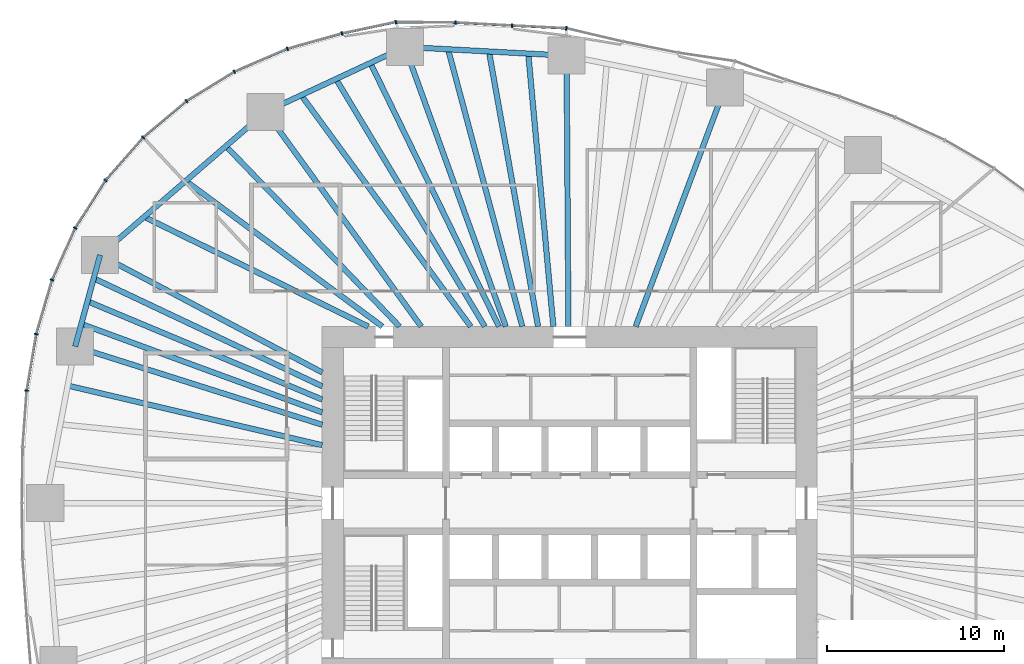
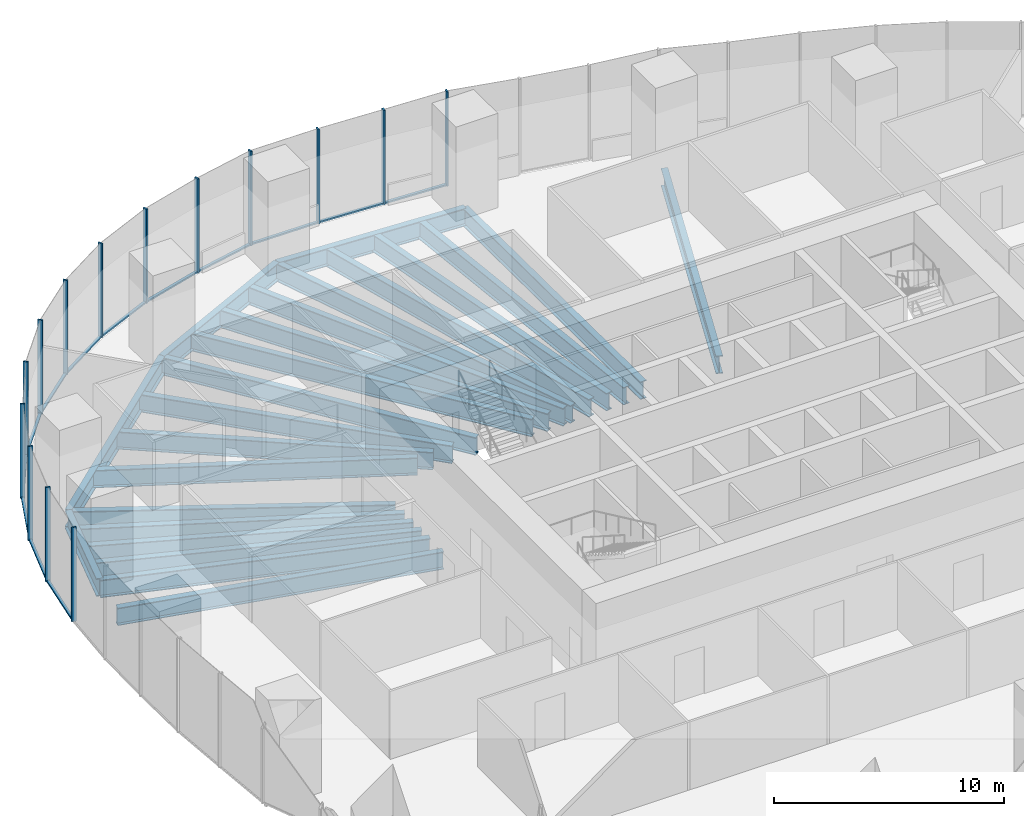
# One storey, part 5 of 20: 27 members, 23 beams, 5 elements without a shape of their own.
"""IFC4 building model written with IfcOpenShell, lengths in metres."""

from ifc_helpers import new_model, si_unit, direction, frame, origin, origin_2d, place, context, subcontext, project, spatial, rectangle, i_section, extrude, material, material_profile, profile_set, type_object, element, aggregate, save


model = new_model("IFC4")

# Units and contexts
model_context = context("Model", 3, precision=1e-05, world=origin(), true_north=direction((0.0, 1.0)))
body_context = subcontext(model_context, "Body", "Model", "MODEL_VIEW")
ifc_project = project(units=[si_unit("LENGTHUNIT", "METRE"), si_unit("AREAUNIT", "SQUARE_METRE"), si_unit("VOLUMEUNIT", "CUBIC_METRE"), si_unit("PLANEANGLEUNIT", "RADIAN"), si_unit("MASSUNIT", "GRAM", prefix="KILO")], contexts=[model_context])

# Site, building, storey
site_placement = place(None, origin())
site = spatial("IfcSite", under=ifc_project, at=site_placement, CompositionType="ELEMENT")
building_placement = place(site_placement, origin())
building = spatial("IfcBuilding", under=site, at=building_placement, Name="Ghaith Harvest Tower", CompositionType="ELEMENT")
storey_placement = place(building_placement, frame((0.0, 0.0, 45.0)))
storey = spatial("IfcBuildingStorey", under=building, at=storey_placement, Name="L09", CompositionType="ELEMENT", Elevation=45.0)

# Curtain wall, members
ifc_material_1 = material(Name="Black anodised aluminium and fritted glass", Category="aluminium")
curtain_wall_type = type_object("IfcCurtainWallType", Name="CW-F CURTAIN WALL", PredefinedType="NOTDEFINED", material=ifc_material_1)
curtain_wall_1_placement = place(storey_placement, origin())
curtain_wall_1 = element("IfcCurtainWall", 1, at=curtain_wall_1_placement, inside=storey, type_object=curtain_wall_type, Name="Curtain wall CW-F bay 06 L09", PredefinedType="NOTDEFINED")
ifc_material_2 = material(Name="Aluminium, black anodised", Category="aluminium")
ifc_material_profile_1 = material_profile(ifc_material_2, rectangle(XDim=0.080078125, YDim=0.219970703125, at=origin_2d()), Name="CW-F MULLION 80x220")
ifc_profile_set_1 = profile_set([ifc_material_profile_1], Name="Aluminium, black anodised")
member_type_1 = type_object("IfcMemberType", Name="CW-F MULLION 80x220", PredefinedType="MULLION", material=ifc_profile_set_1)
member_1_placement = place(storey_placement, frame((-0.183837890625, 26.877197265625, 0.0), z_axis=(0.0, 0.0, 1.0), x_axis=(-0.98971187143, 0.143074845976, 0.0)))
member_1 = element("IfcMember", 2, at=member_1_placement, type_object=member_type_1, Name="CW-F mullion 1 bay 06 L09", PredefinedType="MULLION", context=body_context, shape_type="SweptSolid", body=[
    extrude(rectangle(XDim=0.080078125, YDim=0.219970703125, at=origin_2d()), origin(), (0.0, 0.0, 1.0), 5.0),
])
member_2_placement = place(storey_placement, frame((-3.261962890625, 27.02978515625, 0.0), z_axis=(0.0, 0.0, 1.0), x_axis=(-0.998666923291, 0.051617597049, 0.0)))
member_2 = element("IfcMember", 3, at=member_2_placement, type_object=member_type_1, Name="CW-F mullion 2 bay 06 L09", PredefinedType="MULLION", context=body_context, shape_type="SweptSolid", body=[
    extrude(rectangle(XDim=0.080078125, YDim=0.219970703125, at=origin_2d()), origin(), (0.0, 0.0, 1.0), 5.0),
])
member_3_placement = place(storey_placement, frame((-6.465087890625, 27.20166015625, 0.0), z_axis=(0.0, 0.0, 1.0), x_axis=(-0.999527102163, 0.030750155138, 0.0)))
member_3 = element("IfcMember", 4, at=member_3_placement, type_object=member_type_1, Name="CW-F mullion 3 bay 06 L09", PredefinedType="MULLION", context=body_context, shape_type="SweptSolid", body=[
    extrude(rectangle(XDim=0.080078125, YDim=0.219970703125, at=origin_2d()), origin(), (0.0, 0.0, 1.0), 5.0),
])

curtain_wall_2_placement = place(storey_placement, origin())
curtain_wall_2 = element("IfcCurtainWall", 5, at=curtain_wall_2_placement, inside=storey, type_object=curtain_wall_type, Name="Curtain wall CW-F bay 07 L09", PredefinedType="NOTDEFINED")
member_4_placement = place(storey_placement, frame((-9.835693359375, 27.232177734375, 0.0), z_axis=(0.0, 0.0, 1.0), x_axis=(-0.995408459337, -0.095718332001, 0.0)))
member_4 = element("IfcMember", 6, at=member_4_placement, type_object=member_type_1, Name="CW-F mullion 1 bay 07 L09", PredefinedType="MULLION", context=body_context, shape_type="SweptSolid", body=[
    extrude(rectangle(XDim=0.080078125, YDim=0.219970703125, at=origin_2d()), origin(), (0.0, 0.0, 1.0), 5.0),
])
member_5_placement = place(storey_placement, frame((-12.880615234375, 26.5849609375, 0.0), z_axis=(0.0, 0.0, 1.0), x_axis=(-0.970824511782, -0.239791091, 0.0)))
member_5 = element("IfcMember", 7, at=member_5_placement, type_object=member_type_1, Name="CW-F mullion 2 bay 07 L09", PredefinedType="MULLION", context=body_context, shape_type="SweptSolid", body=[
    extrude(rectangle(XDim=0.080078125, YDim=0.219970703125, at=origin_2d()), origin(), (0.0, 0.0, 1.0), 5.0),
])
member_6_placement = place(storey_placement, frame((-15.97119140625, 25.716552734375, 0.0), z_axis=(0.0, 0.0, 1.0), x_axis=(-0.942293550527, -0.334787790451, 0.0)))
member_6 = element("IfcMember", 8, at=member_6_placement, type_object=member_type_1, Name="CW-F mullion 3 bay 07 L09", PredefinedType="MULLION", context=body_context, shape_type="SweptSolid", body=[
    extrude(rectangle(XDim=0.080078125, YDim=0.219970703125, at=origin_2d()), origin(), (0.0, 0.0, 1.0), 5.0),
])

curtain_wall_3_placement = place(storey_placement, origin())
curtain_wall_3 = element("IfcCurtainWall", 9, at=curtain_wall_3_placement, inside=storey, type_object=curtain_wall_type, Name="Curtain wall CW-F bay 08 L09", PredefinedType="NOTDEFINED")
member_7_placement = place(storey_placement, frame((-18.96728515625, 24.42236328125, 0.0), z_axis=(0.0, 0.0, 1.0), x_axis=(-0.887912253252, -0.460012859086, 0.0)))
member_7 = element("IfcMember", 10, at=member_7_placement, type_object=member_type_1, Name="CW-F mullion 1 bay 08 L09", PredefinedType="MULLION", context=body_context, shape_type="SweptSolid", body=[
    extrude(rectangle(XDim=0.080078125, YDim=0.219970703125, at=origin_2d()), origin(), (0.0, 0.0, 1.0), 5.0),
])
member_8_placement = place(storey_placement, frame((-21.681640625, 22.758056640625, 0.0), z_axis=(0.0, 0.0, 1.0), x_axis=(-0.811400750439, -0.584490224202, 0.0)))
member_8 = element("IfcMember", 11, at=member_8_placement, type_object=member_type_1, Name="CW-F mullion 2 bay 08 L09", PredefinedType="MULLION", context=body_context, shape_type="SweptSolid", body=[
    extrude(rectangle(XDim=0.080078125, YDim=0.219970703125, at=origin_2d()), origin(), (0.0, 0.0, 1.0), 5.0),
])
member_9_placement = place(storey_placement, frame((-24.139404296875, 20.696533203125, 0.0), z_axis=(0.0, 0.0, 1.0), x_axis=(-0.714663248213, -0.699468685256, 0.0)))
member_9 = element("IfcMember", 12, at=member_9_placement, type_object=member_type_1, Name="CW-F mullion 3 bay 08 L09", PredefinedType="MULLION", context=body_context, shape_type="SweptSolid", body=[
    extrude(rectangle(XDim=0.080078125, YDim=0.219970703125, at=origin_2d()), origin(), (0.0, 0.0, 1.0), 5.0),
])

curtain_wall_4_placement = place(storey_placement, origin())
curtain_wall_4 = element("IfcCurtainWall", 13, at=curtain_wall_4_placement, inside=storey, type_object=curtain_wall_type, Name="Curtain wall CW-F bay 09 L09", PredefinedType="NOTDEFINED")
member_10_placement = place(storey_placement, frame((-26.26318359375, 18.274169921875, 0.0), z_axis=(0.0, 0.0, 1.0), x_axis=(-0.599861600644, -0.800103780814, 0.0)))
member_10 = element("IfcMember", 14, at=member_10_placement, type_object=member_type_1, Name="CW-F mullion 1 bay 09 L09", PredefinedType="MULLION", context=body_context, shape_type="SweptSolid", body=[
    extrude(rectangle(XDim=0.080078125, YDim=0.219970703125, at=origin_2d()), origin(), (0.0, 0.0, 1.0), 5.0),
])
member_11_placement = place(storey_placement, frame((-27.986328125, 15.5654296875, 0.0), z_axis=(0.0, 0.0, 1.0), x_axis=(-0.473265082758, -0.880920065297, 0.0)))
member_11 = element("IfcMember", 15, at=member_11_placement, type_object=member_type_1, Name="CW-F mullion 2 bay 09 L09", PredefinedType="MULLION", context=body_context, shape_type="SweptSolid", body=[
    extrude(rectangle(XDim=0.080078125, YDim=0.219970703125, at=origin_2d()), origin(), (0.0, 0.0, 1.0), 5.0),
])
member_12_placement = place(storey_placement, frame((-29.29248046875, 12.63525390625, 0.0), z_axis=(0.0, 0.0, 1.0), x_axis=(-0.344618322502, -0.938742889079, 0.0)))
member_12 = element("IfcMember", 16, at=member_12_placement, type_object=member_type_1, Name="CW-F mullion 3 bay 09 L09", PredefinedType="MULLION", context=body_context, shape_type="SweptSolid", body=[
    extrude(rectangle(XDim=0.080078125, YDim=0.219970703125, at=origin_2d()), origin(), (0.0, 0.0, 1.0), 5.0),
])

curtain_wall_5_placement = place(storey_placement, origin())
curtain_wall_5 = element("IfcCurtainWall", 17, at=curtain_wall_5_placement, inside=storey, type_object=curtain_wall_type, Name="Curtain wall CW-F bay 10 L09", PredefinedType="NOTDEFINED")
member_13_placement = place(storey_placement, frame((-30.1884765625, 9.567138671875, 0.0), z_axis=(0.0, 0.0, 1.0), x_axis=(-0.222967363645, -0.97482590997, 0.0)))
member_13 = element("IfcMember", 18, at=member_13_placement, type_object=member_type_1, Name="CW-F mullion 1 bay 10 L09", PredefinedType="MULLION", context=body_context, shape_type="SweptSolid", body=[
    extrude(rectangle(XDim=0.080078125, YDim=0.219970703125, at=origin_2d()), origin(), (0.0, 0.0, 1.0), 5.0),
])
member_14_placement = place(storey_placement, frame((-30.724365234375, 6.37548828125, 0.0), z_axis=(0.0, 0.0, 1.0), x_axis=(-0.119352816132, -0.99285190501, 0.0)))
member_14 = element("IfcMember", 19, at=member_14_placement, type_object=member_type_1, Name="CW-F mullion 2 bay 10 L09", PredefinedType="MULLION", context=body_context, shape_type="SweptSolid", body=[
    extrude(rectangle(XDim=0.080078125, YDim=0.219970703125, at=origin_2d()), origin(), (0.0, 0.0, 1.0), 5.0),
])

# Member
ifc_material_3 = material(Name="Aluminium, black anodised", Category="aluminium")
ifc_material_profile_2 = material_profile(ifc_material_3, rectangle(XDim=0.139892578125, YDim=0.080078125, at=origin_2d()), Name="CW-F TRANSOM 140x80")
ifc_profile_set_2 = profile_set([ifc_material_profile_2], Name="Aluminium, black anodised")
member_type_2 = type_object("IfcMemberType", Name="CW-F TRANSOM 140x80", PredefinedType="USERDEFINED", material=ifc_profile_set_2)
member_15_placement = place(storey_placement, frame((-0.223876953125, 26.879150390625, 0.0400390625), z_axis=(-0.998772539109, 0.049531960612, 0.0), x_axis=(-0.049531960612, -0.998772539109, 0.0)))
member_15 = element("IfcMember", 20, at=member_15_placement, type_object=member_type_2, Name="CW-F transom 1 bay 06 L09", ObjectType="TRANSOM", PredefinedType="USERDEFINED", context=body_context, shape_type="SweptSolid", body=[
    extrude(rectangle(XDim=0.139892578125, YDim=0.080078125, at=origin_2d()), origin(), (0.0, 0.0, 1.0), 3.001708984375),
])

member_16_placement = place(storey_placement, frame((-3.3017578125, 27.031982421875, 0.0400390625), z_axis=(-0.99856142387, 0.053619798202, 0.0), x_axis=(-0.053619798202, -0.99856142387, 0.0)))
member_16 = element("IfcMember", 21, at=member_16_placement, type_object=member_type_2, Name="CW-F transom 2 bay 06 L09", ObjectType="TRANSOM", PredefinedType="USERDEFINED", context=body_context, shape_type="SweptSolid", body=[
    extrude(rectangle(XDim=0.139892578125, YDim=0.080078125, at=origin_2d()), origin(), (0.0, 0.0, 1.0), 3.1279296875),
])

member_17_placement = place(storey_placement, frame((-6.505126953125, 27.2021484375, 0.0400390625), z_axis=(-0.999959703847, 0.008977231352, 0.0), x_axis=(-0.008977231352, -0.999959703847, 0.0)))
member_17 = element("IfcMember", 22, at=member_17_placement, type_object=member_type_2, Name="CW-F transom 3 bay 06 L09", ObjectType="TRANSOM", PredefinedType="USERDEFINED", context=body_context, shape_type="SweptSolid", body=[
    extrude(rectangle(XDim=0.139892578125, YDim=0.080078125, at=origin_2d()), origin(), (0.0, 0.0, 1.0), 3.290771484375),
])

aggregate(curtain_wall_1, [member_1, member_15, member_2, member_16, member_3, member_17])

member_18_placement = place(storey_placement, frame((-9.874755859375, 27.2236328125, 0.0400390625), z_axis=(-0.978160283029, -0.207852016359, 0.0), x_axis=(0.207852016359, -0.978160283029, 0.0)))
member_18 = element("IfcMember", 23, at=member_18_placement, type_object=member_type_2, Name="CW-F transom 1 bay 07 L09", ObjectType="TRANSOM", PredefinedType="USERDEFINED", context=body_context, shape_type="SweptSolid", body=[
    extrude(rectangle(XDim=0.139892578125, YDim=0.080078125, at=origin_2d()), origin(), (0.0, 0.0, 1.0), 3.03271484375),
])

member_19_placement = place(storey_placement, frame((-12.9189453125, 26.573974609375, 0.0400390625), z_axis=(-0.962727128991, -0.270474536888, 0.0), x_axis=(0.270474536888, -0.962727128991, 0.0)))
member_19 = element("IfcMember", 24, at=member_19_placement, type_object=member_type_2, Name="CW-F transom 2 bay 07 L09", ObjectType="TRANSOM", PredefinedType="USERDEFINED", context=body_context, shape_type="SweptSolid", body=[
    extrude(rectangle(XDim=0.139892578125, YDim=0.080078125, at=origin_2d()), origin(), (0.0, 0.0, 1.0), 3.13037109375),
])

member_20_placement = place(storey_placement, frame((-16.008056640625, 25.70068359375, 0.0400390625), z_axis=(-0.9180027124, -0.396574104079, 0.0), x_axis=(0.396574104079, -0.9180027124, 0.0)))
member_20 = element("IfcMember", 25, at=member_20_placement, type_object=member_type_2, Name="CW-F transom 3 bay 07 L09", ObjectType="TRANSOM", PredefinedType="USERDEFINED", context=body_context, shape_type="SweptSolid", body=[
    extrude(rectangle(XDim=0.139892578125, YDim=0.080078125, at=origin_2d()), origin(), (0.0, 0.0, 1.0), 3.183349609375),
])

aggregate(curtain_wall_2, [member_4, member_18, member_5, member_19, member_6, member_20])

member_21_placement = place(storey_placement, frame((-19.001220703125, 24.4013671875, 0.0400390625), z_axis=(-0.852561687195, -0.522626606219, 0.0), x_axis=(0.522626606219, -0.852561687195, 0.0)))
member_21 = element("IfcMember", 26, at=member_21_placement, type_object=member_type_2, Name="CW-F transom 1 bay 08 L09", ObjectType="TRANSOM", PredefinedType="USERDEFINED", context=body_context, shape_type="SweptSolid", body=[
    extrude(rectangle(XDim=0.139892578125, YDim=0.080078125, at=origin_2d()), origin(), (0.0, 0.0, 1.0), 3.104248046875),
])

member_22_placement = place(storey_placement, frame((-21.71240234375, 22.732421875, 0.0400390625), z_axis=(-0.766144434184, -0.642668426149, 0.0), x_axis=(0.642668426149, -0.766144434184, 0.0)))
member_22 = element("IfcMember", 27, at=member_22_placement, type_object=member_type_2, Name="CW-F transom 2 bay 08 L09", ObjectType="TRANSOM", PredefinedType="USERDEFINED", context=body_context, shape_type="SweptSolid", body=[
    extrude(rectangle(XDim=0.139892578125, YDim=0.080078125, at=origin_2d()), origin(), (0.0, 0.0, 1.0), 3.1279296875),
])

member_23_placement = place(storey_placement, frame((-24.165771484375, 20.66650390625, 0.0400390625), z_axis=(-0.65923052982, -0.751940894322, 0.0), x_axis=(0.751940894322, -0.65923052982, 0.0)))
member_23 = element("IfcMember", 28, at=member_23_placement, type_object=member_type_2, Name="CW-F transom 3 bay 08 L09", ObjectType="TRANSOM", PredefinedType="USERDEFINED", context=body_context, shape_type="SweptSolid", body=[
    extrude(rectangle(XDim=0.139892578125, YDim=0.080078125, at=origin_2d()), origin(), (0.0, 0.0, 1.0), 3.1416015625),
])

aggregate(curtain_wall_3, [member_7, member_21, member_8, member_22, member_9, member_23])

member_24_placement = place(storey_placement, frame((-26.28466796875, 18.240234375, 0.0400390625), z_axis=(-0.536754366643, -0.843738555412, 0.0), x_axis=(0.843738555412, -0.536754366643, 0.0)))
member_24 = element("IfcMember", 29, at=member_24_placement, type_object=member_type_2, Name="CW-F transom 1 bay 09 L09", ObjectType="TRANSOM", PredefinedType="USERDEFINED", context=body_context, shape_type="SweptSolid", body=[
    extrude(rectangle(XDim=0.139892578125, YDim=0.080078125, at=origin_2d()), origin(), (0.0, 0.0, 1.0), 3.13037109375),
])

member_25_placement = place(storey_placement, frame((-28.002685546875, 15.52880859375, 0.0400390625), z_axis=(-0.407123143204, -0.913373278714, 0.0), x_axis=(0.913373278714, -0.407123143204, 0.0)))
member_25 = element("IfcMember", 30, at=member_25_placement, type_object=member_type_2, Name="CW-F transom 2 bay 09 L09", ObjectType="TRANSOM", PredefinedType="USERDEFINED", context=body_context, shape_type="SweptSolid", body=[
    extrude(rectangle(XDim=0.139892578125, YDim=0.080078125, at=origin_2d()), origin(), (0.0, 0.0, 1.0), 3.1279296875),
])

member_26_placement = place(storey_placement, frame((-29.3037109375, 12.596923828125, 0.0400390625), z_axis=(-0.280324903873, -0.959905176707, 0.0), x_axis=(0.959905176707, -0.280324903873, 0.0)))
member_26 = element("IfcMember", 31, at=member_26_placement, type_object=member_type_2, Name="CW-F transom 3 bay 09 L09", ObjectType="TRANSOM", PredefinedType="USERDEFINED", context=body_context, shape_type="SweptSolid", body=[
    extrude(rectangle(XDim=0.139892578125, YDim=0.080078125, at=origin_2d()), origin(), (0.0, 0.0, 1.0), 3.1162109375),
])

aggregate(curtain_wall_4, [member_10, member_24, member_11, member_25, member_12, member_26])

member_27_placement = place(storey_placement, frame((-30.195068359375, 9.52783203125, 0.0400390625), z_axis=(-0.165527763099, -0.986205130611, 0.0), x_axis=(0.986205130611, -0.165527763099, 0.0)))
member_27 = element("IfcMember", 32, at=member_27_placement, type_object=member_type_2, Name="CW-F transom 1 bay 10 L09", ObjectType="TRANSOM", PredefinedType="USERDEFINED", context=body_context, shape_type="SweptSolid", body=[
    extrude(rectangle(XDim=0.139892578125, YDim=0.080078125, at=origin_2d()), origin(), (0.0, 0.0, 1.0), 3.15625),
])

aggregate(curtain_wall_5, [member_13, member_27, member_14])

# Beams
ifc_material_4 = material(Name="Steel ASTM A992 Grade 50", Category="steel")
ifc_material_profile_3 = material_profile(ifc_material_4, i_section(OverallWidth=0.306884765625, OverallDepth=0.94189453125, WebThickness=0.022216796875, FlangeThickness=0.039794921875, at=origin_2d()), Name="W920X345")
ifc_profile_set_3 = profile_set([ifc_material_profile_3], Name="Steel ASTM A992 Grade 50")
beam_type_1 = type_object("IfcBeamType", Name="E920-345 W920X345", PredefinedType="SPANDREL", material=ifc_profile_set_3)
beam_1_placement = place(storey_placement, frame((-0.173095703125, 25.326904296875, -0.6708984375), z_axis=(-0.998545840532, 0.053909223293, 0.0), x_axis=(-0.053909223293, -0.998545840532, 0.0)))
element("IfcBeam", 33, at=beam_1_placement, inside=storey, type_object=beam_type_1, Name="Edge beam E06 L09", PredefinedType="SPANDREL", context=body_context, shape_type="SweptSolid", body=[
    extrude(i_section(OverallWidth=0.306884765625, OverallDepth=0.94189453125, WebThickness=0.022216796875, FlangeThickness=0.039794921875, at=origin_2d()), origin(), (0.0, 0.0, 1.0), 9.166259765625),
])
beam_2_placement = place(storey_placement, frame((-9.325927734375, 25.821044921875, -0.6708984375), z_axis=(-0.906373259523, -0.422477827137, 0.0), x_axis=(0.422477827137, -0.906373259523, 0.0)))
element("IfcBeam", 34, at=beam_2_placement, inside=storey, type_object=beam_type_1, Name="Edge beam E07 L09", PredefinedType="SPANDREL", context=body_context, shape_type="SweptSolid", body=[
    extrude(i_section(OverallWidth=0.306884765625, OverallDepth=0.94189453125, WebThickness=0.022216796875, FlangeThickness=0.039794921875, at=origin_2d()), origin(), (0.0, 0.0, 1.0), 8.689453125),
])
beam_3_placement = place(storey_placement, frame((-17.201904296875, 22.14990234375, -0.6708984375), z_axis=(-0.756392158274, -0.654118416574, 0.0), x_axis=(0.654118416574, -0.756392158274, 0.0)))
element("IfcBeam", 35, at=beam_3_placement, inside=storey, type_object=beam_type_1, Name="Edge beam E08 L09", PredefinedType="SPANDREL", context=body_context, shape_type="SweptSolid", body=[
    extrude(i_section(OverallWidth=0.306884765625, OverallDepth=0.94189453125, WebThickness=0.022216796875, FlangeThickness=0.039794921875, at=origin_2d()), origin(), (0.0, 0.0, 1.0), 12.38916015625),
])
beam_4_placement = place(storey_placement, frame((-26.572998046875, 14.0458984375, -0.6708984375), z_axis=(-0.262724740433, -0.964870825947, 0.0), x_axis=(0.964870825947, -0.262724740433, 0.0)))
element("IfcBeam", 36, at=beam_4_placement, inside=storey, type_object=beam_type_1, Name="Edge beam E09 L09", PredefinedType="SPANDREL", context=body_context, shape_type="SweptSolid", body=[
    extrude(i_section(OverallWidth=0.306884765625, OverallDepth=0.94189453125, WebThickness=0.022216796875, FlangeThickness=0.039794921875, at=origin_2d()), origin(), (0.0, 0.0, 1.0), 5.366455078125),
])
ifc_material_5 = material(Name="Steel ASTM A992 Grade 50", Category="steel")
ifc_material_profile_4 = material_profile(ifc_material_5, i_section(OverallWidth=0.306884765625, OverallDepth=0.94189453125, WebThickness=0.022216796875, FlangeThickness=0.039794921875, at=origin_2d()), Name="W920X345")
ifc_profile_set_4 = profile_set([ifc_material_profile_4], Name="Steel ASTM A992 Grade 50")
beam_type_2 = type_object("IfcBeamType", Name="G920-345 W920X345", PredefinedType="BEAM", material=ifc_profile_set_4)
beam_5_placement = place(storey_placement, frame((3.73828125, 10.0, -0.6708984375), z_axis=(0.350150596156, 0.936693418367, 0.0), x_axis=(-0.936693418367, 0.350150596156, 0.0)))
element("IfcBeam", 37, at=beam_5_placement, inside=storey, type_object=beam_type_2, Name="Radial girder G05 L09", PredefinedType="BEAM", context=body_context, shape_type="SweptSolid", body=[
    extrude(i_section(OverallWidth=0.306884765625, OverallDepth=0.94189453125, WebThickness=0.022216796875, FlangeThickness=0.039794921875, at=origin_2d()), origin(), (0.0, 0.0, 1.0), 14.44140625),
])
beam_6_placement = place(storey_placement, frame((-0.068359375, 10.0, -0.6708984375), z_axis=(-0.006833335732, 0.999976652489, 0.0), x_axis=(-0.999976652489, -0.006833335732, 0.0)))
element("IfcBeam", 38, at=beam_6_placement, inside=storey, type_object=beam_type_2, Name="Radial girder G06 L09", PredefinedType="BEAM", context=body_context, shape_type="SweptSolid", body=[
    extrude(i_section(OverallWidth=0.306884765625, OverallDepth=0.94189453125, WebThickness=0.022216796875, FlangeThickness=0.039794921875, at=origin_2d()), origin(), (0.0, 0.0, 1.0), 15.3271484375),
])
beam_7_placement = place(storey_placement, frame((-3.61181640625, 10.0, -0.6708984375), z_axis=(-0.339694751271, 0.940535738799, 0.0), x_axis=(-0.940535738799, -0.339694751271, 0.0)))
element("IfcBeam", 39, at=beam_7_placement, inside=storey, type_object=beam_type_2, Name="Radial girder G07 L09", PredefinedType="BEAM", context=body_context, shape_type="SweptSolid", body=[
    extrude(i_section(OverallWidth=0.306884765625, OverallDepth=0.94189453125, WebThickness=0.022216796875, FlangeThickness=0.039794921875, at=origin_2d()), origin(), (0.0, 0.0, 1.0), 16.8212890625),
])
beam_8_placement = place(storey_placement, frame((-8.39990234375, 10.0, -0.6708984375), z_axis=(-0.586675813287, 0.809821887889, 0.0), x_axis=(-0.809821887889, -0.586675813287, 0.0)))
element("IfcBeam", 40, at=beam_8_placement, inside=storey, type_object=beam_type_2, Name="Radial girder G08 L09", PredefinedType="BEAM", context=body_context, shape_type="SweptSolid", body=[
    extrude(i_section(OverallWidth=0.306884765625, OverallDepth=0.94189453125, WebThickness=0.022216796875, FlangeThickness=0.039794921875, at=origin_2d()), origin(), (0.0, 0.0, 1.0), 15.003173828125),
])
beam_9_placement = place(storey_placement, frame((-14.0, 7.39990234375, -0.6708984375), z_axis=(-0.88408713845, 0.467322085533, 0.0), x_axis=(-0.467322085533, -0.88408713845, 0.0)))
element("IfcBeam", 41, at=beam_9_placement, inside=storey, type_object=beam_type_2, Name="Radial girder G09 L09", PredefinedType="BEAM", context=body_context, shape_type="SweptSolid", body=[
    extrude(i_section(OverallWidth=0.306884765625, OverallDepth=0.94189453125, WebThickness=0.022216796875, FlangeThickness=0.039794921875, at=origin_2d()), origin(), (0.0, 0.0, 1.0), 14.221435546875),
])
beam_10_placement = place(storey_placement, frame((-14.0, 4.43701171875, -0.6708984375), z_axis=(-0.953283605796, 0.302076756671, 0.0), x_axis=(-0.302076756671, -0.953283605796, 0.0)))
element("IfcBeam", 42, at=beam_10_placement, inside=storey, type_object=beam_type_2, Name="Radial girder G10 L09", PredefinedType="BEAM", context=body_context, shape_type="SweptSolid", body=[
    extrude(i_section(OverallWidth=0.306884765625, OverallDepth=0.94189453125, WebThickness=0.022216796875, FlangeThickness=0.039794921875, at=origin_2d()), origin(), (0.0, 0.0, 1.0), 14.668212890625),
])
ifc_material_6 = material(Name="Steel ASTM A992 Grade 50", Category="steel")
ifc_material_profile_5 = material_profile(ifc_material_6, i_section(OverallWidth=0.31005859375, OverallDepth=0.927001953125, WebThickness=0.019287109375, FlangeThickness=0.031982421875, at=origin_2d()), Name="W920X289")
ifc_profile_set_5 = profile_set([ifc_material_profile_5], Name="Steel ASTM A992 Grade 50")
beam_type_3 = type_object("IfcBeamType", Name="J920-289 W920X289", PredefinedType="JOIST", material=ifc_profile_set_5)
beam_11_placement = place(storey_placement, frame((-0.92041015625, 10.0, -0.66357421875), z_axis=(-0.091647013776, 0.995791556936, 0.0), x_axis=(-0.995791556936, -0.091647013776, 0.0)))
element("IfcBeam", 43, at=beam_11_placement, inside=storey, type_object=beam_type_3, Name="Joist J06.1 L09", PredefinedType="JOIST", context=body_context, shape_type="SweptSolid", body=[
    extrude(i_section(OverallWidth=0.31005859375, OverallDepth=0.927001953125, WebThickness=0.019287109375, FlangeThickness=0.031982421875, at=origin_2d()), origin(), (0.0, 0.0, 1.0), 15.50927734375),
])
beam_12_placement = place(storey_placement, frame((-1.785888671875, 10.0, -0.66357421875), z_axis=(-0.175789035136, 0.984427861819, 0.0), x_axis=(-0.984427861819, -0.175789035136, 0.0)))
element("IfcBeam", 44, at=beam_12_placement, inside=storey, type_object=beam_type_3, Name="Joist J06.2 L09", PredefinedType="JOIST", context=body_context, shape_type="SweptSolid", body=[
    extrude(i_section(OverallWidth=0.31005859375, OverallDepth=0.927001953125, WebThickness=0.019287109375, FlangeThickness=0.031982421875, at=origin_2d()), origin(), (0.0, 0.0, 1.0), 15.810302734375),
])
beam_13_placement = place(storey_placement, frame((-10.60009765625, 10.0, -0.66357421875), z_axis=(-0.803663089107, 0.595084564752, 0.0), x_axis=(-0.595084564752, -0.803663089107, 0.0)))
element("IfcBeam", 45, at=beam_13_placement, inside=storey, type_object=beam_type_3, Name="Joist J08.2 L09", PredefinedType="JOIST", context=body_context, shape_type="SweptSolid", body=[
    extrude(i_section(OverallWidth=0.31005859375, OverallDepth=0.927001953125, WebThickness=0.019287109375, FlangeThickness=0.031982421875, at=origin_2d()), origin(), (0.0, 0.0, 1.0), 13.843505859375),
])
beam_14_placement = place(storey_placement, frame((-11.39990234375, 10.0, -0.66357421875), z_axis=(-0.898274832354, 0.439434096946, 0.0), x_axis=(-0.439434096946, -0.898274832354, 0.0)))
element("IfcBeam", 46, at=beam_14_placement, inside=storey, type_object=beam_type_3, Name="Joist J08.3 L09", PredefinedType="JOIST", context=body_context, shape_type="SweptSolid", body=[
    extrude(i_section(OverallWidth=0.31005859375, OverallDepth=0.927001953125, WebThickness=0.019287109375, FlangeThickness=0.031982421875, at=origin_2d()), origin(), (0.0, 0.0, 1.0), 14.114990234375),
])
beam_15_placement = place(storey_placement, frame((-14.0, 6.614990234375, -0.66357421875), z_axis=(-0.904153428261, 0.427207886354, 0.0), x_axis=(-0.427207886354, -0.904153428261, 0.0)))
element("IfcBeam", 47, at=beam_15_placement, inside=storey, type_object=beam_type_3, Name="Joist J09.1 L09", PredefinedType="JOIST", context=body_context, shape_type="SweptSolid", body=[
    extrude(i_section(OverallWidth=0.31005859375, OverallDepth=0.927001953125, WebThickness=0.019287109375, FlangeThickness=0.031982421875, at=origin_2d()), origin(), (0.0, 0.0, 1.0), 14.303466796875),
])
beam_16_placement = place(storey_placement, frame((-14.0, 5.862548828125, -0.66357421875), z_axis=(-0.922385943167, 0.38626955853, 0.0), x_axis=(-0.38626955853, -0.922385943167, 0.0)))
element("IfcBeam", 48, at=beam_16_placement, inside=storey, type_object=beam_type_3, Name="Joist J09.2 L09", PredefinedType="JOIST", context=body_context, shape_type="SweptSolid", body=[
    extrude(i_section(OverallWidth=0.31005859375, OverallDepth=0.927001953125, WebThickness=0.019287109375, FlangeThickness=0.031982421875, at=origin_2d()), origin(), (0.0, 0.0, 1.0), 14.404296875),
])
beam_17_placement = place(storey_placement, frame((-14.0, 5.137939453125, -0.66357421875), z_axis=(-0.93877541132, 0.344529718748, 0.0), x_axis=(-0.344529718748, -0.93877541132, 0.0)))
element("IfcBeam", 49, at=beam_17_placement, inside=storey, type_object=beam_type_3, Name="Joist J09.3 L09", PredefinedType="JOIST", context=body_context, shape_type="SweptSolid", body=[
    extrude(i_section(OverallWidth=0.31005859375, OverallDepth=0.927001953125, WebThickness=0.019287109375, FlangeThickness=0.031982421875, at=origin_2d()), origin(), (0.0, 0.0, 1.0), 14.525390625),
])
beam_18_placement = place(storey_placement, frame((-14.0, 3.280517578125, -0.66357421875), z_axis=(-0.973623012228, 0.228162727151, 0.0), x_axis=(-0.228162727151, -0.973623012228, 0.0)))
element("IfcBeam", 50, at=beam_18_placement, inside=storey, type_object=beam_type_3, Name="Joist J10.1 L09", PredefinedType="JOIST", context=body_context, shape_type="SweptSolid", body=[
    extrude(i_section(OverallWidth=0.31005859375, OverallDepth=0.927001953125, WebThickness=0.019287109375, FlangeThickness=0.031982421875, at=origin_2d()), origin(), (0.0, 0.0, 1.0), 14.795166015625),
])
ifc_material_7 = material(Name="Steel ASTM A992 Grade 50", Category="steel")
ifc_material_profile_6 = material_profile(ifc_material_7, i_section(OverallWidth=0.306884765625, OverallDepth=0.94189453125, WebThickness=0.022216796875, FlangeThickness=0.039794921875, at=origin_2d()), Name="W920X345")
ifc_profile_set_6 = profile_set([ifc_material_profile_6], Name="Steel ASTM A992 Grade 50")
beam_type_4 = type_object("IfcBeamType", Name="J920-345 W920X345", PredefinedType="JOIST", material=ifc_profile_set_6)
beam_19_placement = place(storey_placement, frame((-2.677978515625, 10.0, -0.6708984375), z_axis=(-0.258679482451, 0.965963211183, 0.0), x_axis=(-0.965963211183, -0.258679482451, 0.0)))
element("IfcBeam", 51, at=beam_19_placement, inside=storey, type_object=beam_type_4, Name="Joist J06.3 L09", PredefinedType="JOIST", context=body_context, shape_type="SweptSolid", body=[
    extrude(i_section(OverallWidth=0.306884765625, OverallDepth=0.94189453125, WebThickness=0.022216796875, FlangeThickness=0.039794921875, at=origin_2d()), origin(), (0.0, 0.0, 1.0), 16.24169921875),
])
beam_20_placement = place(storey_placement, frame((-4.0, 10.0, -0.6708984375), z_axis=(-0.438505380705, 0.898728563635, 0.0), x_axis=(-0.898728563635, -0.438505380705, 0.0)))
element("IfcBeam", 52, at=beam_20_placement, inside=storey, type_object=beam_type_4, Name="Joist J07.1 L09", PredefinedType="JOIST", context=body_context, shape_type="SweptSolid", body=[
    extrude(i_section(OverallWidth=0.306884765625, OverallDepth=0.94189453125, WebThickness=0.022216796875, FlangeThickness=0.039794921875, at=origin_2d()), origin(), (0.0, 0.0, 1.0), 16.592529296875),
])
beam_21_placement = place(storey_placement, frame((-4.800048828125, 10.0, -0.6708984375), z_axis=(-0.515358894704, 0.85697445099, 0.0), x_axis=(-0.85697445099, -0.515358894704, 0.0)))
element("IfcBeam", 53, at=beam_21_placement, inside=storey, type_object=beam_type_4, Name="Joist J07.2 L09", PredefinedType="JOIST", context=body_context, shape_type="SweptSolid", body=[
    extrude(i_section(OverallWidth=0.306884765625, OverallDepth=0.94189453125, WebThickness=0.022216796875, FlangeThickness=0.039794921875, at=origin_2d()), origin(), (0.0, 0.0, 1.0), 16.34228515625),
])
beam_22_placement = place(storey_placement, frame((-5.60009765625, 10.0, -0.6708984375), z_axis=(-0.591008736068, 0.806665155992, 0.0), x_axis=(-0.806665155992, -0.591008736068, 0.0)))
element("IfcBeam", 54, at=beam_22_placement, inside=storey, type_object=beam_type_4, Name="Joist J07.3 L09", PredefinedType="JOIST", context=body_context, shape_type="SweptSolid", body=[
    extrude(i_section(OverallWidth=0.306884765625, OverallDepth=0.94189453125, WebThickness=0.022216796875, FlangeThickness=0.039794921875, at=origin_2d()), origin(), (0.0, 0.0, 1.0), 16.22509765625),
])
beam_23_placement = place(storey_placement, frame((-9.626708984375, 10.0, -0.6708984375), z_axis=(-0.693535693616, 0.720422266231, 0.0), x_axis=(-0.720422266231, -0.693535693616, 0.0)))
element("IfcBeam", 55, at=beam_23_placement, inside=storey, type_object=beam_type_4, Name="Joist J08.1 L09", PredefinedType="JOIST", context=body_context, shape_type="SweptSolid", body=[
    extrude(i_section(OverallWidth=0.306884765625, OverallDepth=0.94189453125, WebThickness=0.022216796875, FlangeThickness=0.039794921875, at=origin_2d()), origin(), (0.0, 0.0, 1.0), 14.16552734375),
])

save(model, "model.ifc")
